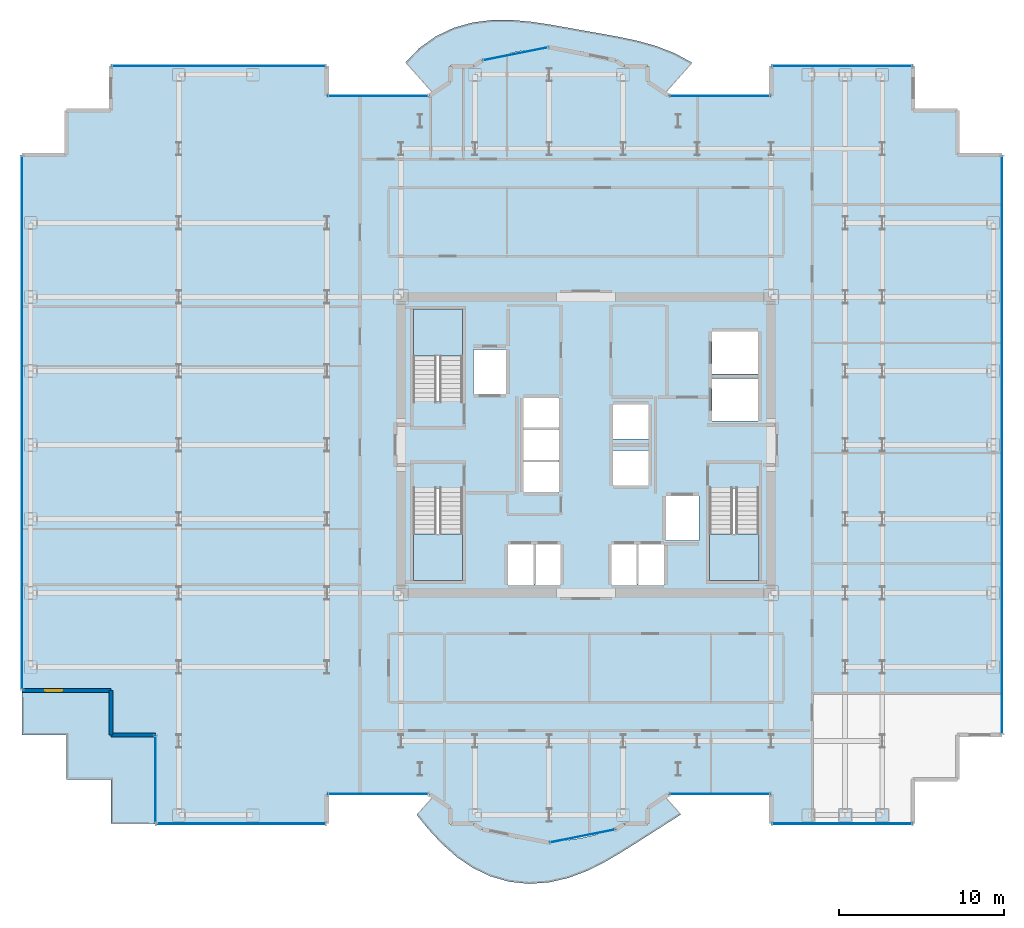
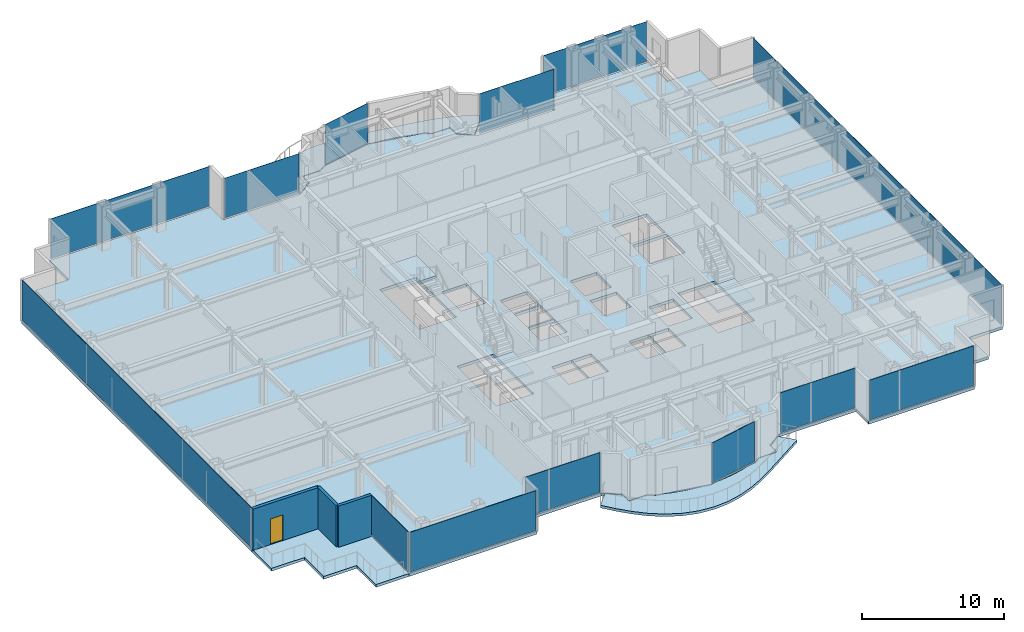
# One storey, part 14 of 23: 13 plates, 7 slabs, 3 walls, 1 door, 1 opening, 16 elements without a shape of their own.
"""IFC4 building model written with IfcOpenShell, lengths in metres."""

from ifc_helpers import new_model, si_unit, direction, frame, frame_2d, origin, origin_2d, place, context, subcontext, project, spatial, polyline, rectangle, outline, extrude, source, transform, mapped, material, layer, layer_set, type_object, element, fill, aggregate, save


model = new_model("IFC4")

# Units and contexts
model_context = context("Model", 3, precision=1e-05, world=origin(), true_north=direction((0.0, 1.0)))
body_context = subcontext(model_context, "Body", "Model", "MODEL_VIEW")
ifc_project = project(units=[si_unit("LENGTHUNIT", "METRE"), si_unit("AREAUNIT", "SQUARE_METRE"), si_unit("VOLUMEUNIT", "CUBIC_METRE"), si_unit("PLANEANGLEUNIT", "RADIAN"), si_unit("MASSUNIT", "GRAM", prefix="KILO")], contexts=[model_context])

# Site, building, storey
site_placement = place(None, origin())
site = spatial("IfcSite", under=ifc_project, at=site_placement, CompositionType="ELEMENT")
building_placement = place(site_placement, origin())
building = spatial("IfcBuilding", under=site, at=building_placement, Name="Nefas-Gora Pilgrimage Tower", CompositionType="ELEMENT")
storey_placement = place(building_placement, frame((0.0, 0.0, 164.0)))
storey = spatial("IfcBuildingStorey", under=building, at=storey_placement, Name="L40", CompositionType="ELEMENT", Elevation=164.0)

# Slabs
ifc_material_1 = material(Name="Concrete C40/50", Category="concrete")
ifc_layer_1 = layer(ifc_material_1, 0.219970703125)
ifc_layer_set_1 = layer_set([ifc_layer_1], Name="Concrete C40/50")
slab_type_1 = type_object("IfcSlabType", Name="SLB-BAL-P3", PredefinedType="FLOOR", material=ifc_layer_set_1)
slab_1_placement = place(storey_placement, frame((0.0, 0.0, -0.219970703125)))
element("IfcSlab", 1, at=slab_1_placement, inside=storey, type_object=slab_type_1, Name="L40 Sinusoidal Lobe Balcony Slab N (Phase 3)", PredefinedType="FLOOR", context=body_context, shape_type="SweptSolid", body=[
    extrude(outline(polyline([(-9.28759765625, 21.385986328125), (-9.224609375, 21.427978515625), (-8.538330078125, 21.9912109375), (-8.260009765625, 22.179931640625), (-8.260009765625, 23.02001953125), (-8.260009765625, 23.02099609375), (-8.259765625, 23.02197265625), (-8.259521484375, 23.02294921875), (-8.25927734375, 23.023681640625), (-8.2587890625, 23.024658203125), (-8.25830078125, 23.025634765625), (-8.2578125, 23.0263671875), (-8.257080078125, 23.027099609375), (-8.25634765625, 23.027587890625), (-8.255615234375, 23.0283203125), (-8.254638671875, 23.02880859375), (-8.25390625, 23.029296875), (-8.2529296875, 23.029541015625), (-8.251953125, 23.02978515625), (-8.2509765625, 23.030029296875), (-8.25, 23.030029296875), (-6.8271484375, 23.030029296875), (-6.31298828125, 23.37353515625), (-6.31201171875, 23.3740234375), (-6.311279296875, 23.37451171875), (-6.310302734375, 23.375), (-6.309326171875, 23.375), (-5.63037109375, 23.51025390625), (-5.102783203125, 23.685302734375), (-4.165283203125, 23.904052734375), (-3.211669921875, 24.035888671875), (-2.919921875, 24.04931640625), (-2.251953125, 24.18212890625), (-2.2509765625, 24.182373046875), (-2.25, 24.182373046875), (-2.2490234375, 24.182373046875), (-2.248046875, 24.18212890625), (-1.580078125, 24.04931640625), (-1.288330078125, 24.035888671875), (-0.334716796875, 23.904052734375), (0.602783203125, 23.685302734375), (1.13037109375, 23.51025390625), (1.809326171875, 23.375), (1.810302734375, 23.375), (1.811279296875, 23.37451171875), (1.81201171875, 23.3740234375), (1.81298828125, 23.37353515625), (2.3271484375, 23.030029296875), (3.75, 23.030029296875), (3.7509765625, 23.030029296875), (3.751953125, 23.02978515625), (3.7529296875, 23.029541015625), (3.75390625, 23.029296875), (3.754638671875, 23.02880859375), (3.755615234375, 23.0283203125), (3.75634765625, 23.027587890625), (3.757080078125, 23.027099609375), (3.7578125, 23.0263671875), (3.75830078125, 23.025634765625), (3.7587890625, 23.024658203125), (3.75927734375, 23.023681640625), (3.759521484375, 23.02294921875), (3.759765625, 23.02197265625), (3.760009765625, 23.02099609375), (3.760009765625, 23.02001953125), (3.760009765625, 22.179931640625), (4.038330078125, 21.9912109375), (4.724609375, 21.427978515625), (4.78759765625, 21.385986328125), (6.4453125, 23.22705078125), (5.391357421875, 23.802978515625), (4.284912109375, 24.234130859375), (3.16455078125, 24.5498046875), (2.055908203125, 24.787353515625), (0.969482421875, 24.985107421875), (-0.099609375, 25.172607421875), (-1.166259765625, 25.3642578125), (-2.25, 25.554931640625), (-3.366455078125, 25.720947265625), (-4.521240234375, 25.824951171875), (-5.70556640625, 25.822509765625), (-6.8955078125, 25.672119140625), (-8.055908203125, 25.343505859375), (-9.14599609375, 24.8232421875), (-10.127197265625, 24.118896484375), (-10.9716796875, 23.25634765625), (-9.28759765625, 21.385986328125)])), origin(), (0.0, 0.0, 1.0), 0.219970703125),
])
ifc_layer_2 = layer(ifc_material_1, 0.22509765625)
ifc_layer_set_2 = layer_set([ifc_layer_2], Name="Concrete C40/50")
slab_type_2 = type_object("IfcSlabType", Name="SLB-BAL-P7", PredefinedType="FLOOR", material=ifc_layer_set_2)
slab_2_placement = place(storey_placement, frame((0.0, 0.0, -0.22509765625)))
element("IfcSlab", 2, at=slab_2_placement, inside=storey, type_object=slab_type_2, Name="L40 Sinusoidal Lobe Balcony Slab S (Phase 7)", PredefinedType="FLOOR", context=body_context, shape_type="SweptSolid", body=[
    extrude(outline(polyline([(4.78759765625, -21.385986328125), (4.724609375, -21.427978515625), (4.038330078125, -21.9912109375), (3.760009765625, -22.179931640625), (3.760009765625, -23.02001953125), (3.760009765625, -23.02099609375), (3.759765625, -23.02197265625), (3.759521484375, -23.02294921875), (3.75927734375, -23.023681640625), (3.7587890625, -23.024658203125), (3.75830078125, -23.025634765625), (3.7578125, -23.0263671875), (3.757080078125, -23.027099609375), (3.75634765625, -23.027587890625), (3.755615234375, -23.0283203125), (3.754638671875, -23.02880859375), (3.75390625, -23.029296875), (3.7529296875, -23.029541015625), (3.751953125, -23.02978515625), (3.7509765625, -23.030029296875), (3.75, -23.030029296875), (2.3271484375, -23.030029296875), (1.81298828125, -23.37353515625), (1.81201171875, -23.3740234375), (1.811279296875, -23.37451171875), (1.810302734375, -23.375), (1.809326171875, -23.375), (1.13037109375, -23.51025390625), (0.602783203125, -23.685302734375), (-0.334716796875, -23.904052734375), (-1.288330078125, -24.035888671875), (-1.580078125, -24.04931640625), (-2.248046875, -24.18212890625), (-2.2490234375, -24.182373046875), (-2.25, -24.182373046875), (-2.2509765625, -24.182373046875), (-2.251953125, -24.18212890625), (-2.919921875, -24.04931640625), (-3.211669921875, -24.035888671875), (-4.165283203125, -23.904052734375), (-5.102783203125, -23.685302734375), (-5.63037109375, -23.51025390625), (-6.309326171875, -23.375), (-6.310302734375, -23.375), (-6.311279296875, -23.37451171875), (-6.31201171875, -23.3740234375), (-6.31298828125, -23.37353515625), (-6.8271484375, -23.030029296875), (-8.25, -23.030029296875), (-8.2509765625, -23.030029296875), (-8.251953125, -23.02978515625), (-8.2529296875, -23.029541015625), (-8.25390625, -23.029296875), (-8.254638671875, -23.02880859375), (-8.255615234375, -23.0283203125), (-8.25634765625, -23.027587890625), (-8.257080078125, -23.027099609375), (-8.2578125, -23.0263671875), (-8.25830078125, -23.025634765625), (-8.2587890625, -23.024658203125), (-8.25927734375, -23.023681640625), (-8.259521484375, -23.02294921875), (-8.259765625, -23.02197265625), (-8.260009765625, -23.02099609375), (-8.260009765625, -23.02001953125), (-8.260009765625, -22.179931640625), (-8.538330078125, -21.9912109375), (-9.224609375, -21.427978515625), (-9.28759765625, -21.385986328125), (-10.282958984375, -22.491455078125), (-9.56689453125, -23.368408203125), (-8.77734375, -24.2216796875), (-7.892578125, -25.01220703125), (-6.9033203125, -25.692138671875), (-5.816650390625, -26.21630859375), (-4.655517578125, -26.548583984375), (-3.453857421875, -26.6708984375), (-2.25, -26.585205078125), (-1.0791015625, -26.314208984375), (0.03466796875, -25.896484375), (1.080322265625, -25.37890625), (2.063720703125, -24.807373046875), (3.001220703125, -24.218505859375), (3.91650390625, -23.6328125), (4.830810546875, -23.052490234375), (5.756591796875, -22.462158203125), (4.78759765625, -21.385986328125)])), origin(), (0.0, 0.0, 1.0), 0.22509765625),
])
ifc_layer_3 = layer(ifc_material_1, 0.239990234375)
ifc_layer_set_3 = layer_set([ifc_layer_3], Name="Concrete C40/50")
slab_type_3 = type_object("IfcSlabType", Name="SLB-TER-SP-SW", PredefinedType="FLOOR", material=ifc_layer_set_3)
slab_3_placement = place(storey_placement, frame((0.0, 0.0, -0.239990234375)))
element("IfcSlab", 3, at=slab_3_placement, inside=storey, type_object=slab_type_3, Name="L40 Outdoor Sky Terrace Slab TER-SP-SW", PredefinedType="FLOOR", context=body_context, shape_type="SweptSolid", body=[
    extrude(outline(polyline([(-26.169921875, -23.02001953125), (-26.169921875, -17.6201171875), (-28.8701171875, -17.6201171875), (-28.8701171875, -14.919921875), (-34.27001953125, -14.919921875), (-34.27001953125, -17.6201171875), (-31.570068359375, -17.6201171875), (-31.570068359375, -20.320068359375), (-28.8701171875, -20.320068359375), (-28.8701171875, -23.02001953125), (-26.169921875, -23.02001953125)])), origin(), (0.0, 0.0, 1.0), 0.239990234375),
])
ifc_layer_4 = layer(ifc_material_1, 0.25)
ifc_layer_set_4 = layer_set([ifc_layer_4], Name="Concrete C40/50")
slab_type_4 = type_object("IfcSlabType", Name="SLB-TWR-250", PredefinedType="FLOOR", material=ifc_layer_set_4)
slab_4_placement = place(storey_placement, frame((0.0, 0.0, -0.25)))
element("IfcSlab", 4, at=slab_4_placement, inside=storey, type_object=slab_type_4, Name="L40 Structural Floor Slab", PredefinedType="FLOOR", context=body_context, shape_type="SweptSolid", body=[
    extrude(outline(polyline([(5.01806640625, -21.219970703125), (11.25, -21.219970703125), (11.25, -23.02001953125), (19.8701171875, -23.02001953125), (19.8701171875, -20.320068359375), (22.570068359375, -20.320068359375), (22.570068359375, -17.6201171875), (25.27001953125, -17.6201171875), (25.27001953125, 17.6201171875), (22.570068359375, 17.6201171875), (22.570068359375, 20.320068359375), (19.8701171875, 20.320068359375), (19.8701171875, 23.02001953125), (11.25, 23.02001953125), (11.25, 21.219970703125), (5.01806640625, 21.219970703125), (3.75, 22.0673828125), (3.75, 23.02001953125), (2.32421875, 23.02001953125), (1.807373046875, 23.365234375), (-2.25, 24.17236328125), (-6.307373046875, 23.365234375), (-6.82421875, 23.02001953125), (-8.25, 23.02001953125), (-8.25, 22.0673828125), (-9.51806640625, 21.219970703125), (-15.75, 21.219970703125), (-15.75, 23.02001953125), (-28.8701171875, 23.02001953125), (-28.8701171875, 20.320068359375), (-31.570068359375, 20.320068359375), (-31.570068359375, 17.6201171875), (-34.27001953125, 17.6201171875), (-34.27001953125, -14.919921875), (-28.8701171875, -14.919921875), (-28.8701171875, -17.6201171875), (-26.169921875, -17.6201171875), (-26.169921875, -23.02001953125), (-15.75, -23.02001953125), (-15.75, -21.219970703125), (-9.51806640625, -21.219970703125), (-8.25, -22.0673828125), (-8.25, -23.02001953125), (-6.82421875, -23.02001953125), (-6.307373046875, -23.365234375), (-2.25, -24.17236328125), (1.807373046875, -23.365234375), (2.32421875, -23.02001953125), (3.75, -23.02001953125), (3.75, -22.0673828125), (5.01806640625, -21.219970703125)]), holes=[polyline([(-10.5, 2.639892578125), (-10.5, 8.25), (-7.5, 8.25), (-7.5, 2.639892578125), (-10.5, 2.639892578125)]), polyline([(10.5, -2.639892578125), (10.5, -8.25), (7.5, -8.25), (7.5, -2.639892578125), (10.5, -2.639892578125)]), polyline([(-7.5, -2.639892578125), (-7.5, -8.25), (-10.5, -8.25), (-10.5, -2.639892578125), (-7.5, -2.639892578125)]), polyline([(-6.85009765625, 5.800048828125), (-4.85009765625, 5.800048828125), (-4.85009765625, 3.10009765625), (-6.85009765625, 3.10009765625), (-6.85009765625, 5.800048828125)]), polyline([(4.85009765625, -3.10009765625), (6.85009765625, -3.10009765625), (6.85009765625, -5.800048828125), (4.85009765625, -5.800048828125), (4.85009765625, -3.10009765625)]), polyline([(7.64990234375, 4.050048828125), (10.449951171875, 4.050048828125), (10.449951171875, 1.449951171875), (7.64990234375, 1.449951171875), (7.64990234375, 4.050048828125)]), polyline([(7.64990234375, 6.89990234375), (10.449951171875, 6.89990234375), (10.449951171875, 4.300048828125), (7.64990234375, 4.300048828125), (7.64990234375, 6.89990234375)]), polyline([(-4.75, -6.050048828125), (-3.14990234375, -6.050048828125), (-3.14990234375, -8.5), (-4.75, -8.5), (-4.75, -6.050048828125)]), polyline([(-3.10009765625, -6.050048828125), (-1.550048828125, -6.050048828125), (-1.550048828125, -8.5), (-3.10009765625, -8.5), (-3.10009765625, -6.050048828125)]), polyline([(1.550048828125, -6.050048828125), (3.10009765625, -6.050048828125), (3.10009765625, -8.5), (1.550048828125, -8.5), (1.550048828125, -6.050048828125)]), polyline([(3.14990234375, -6.050048828125), (4.75, -6.050048828125), (4.75, -8.5), (3.14990234375, -8.5), (3.14990234375, -6.050048828125)]), polyline([(-3.800048828125, -1.050048828125), (-1.64990234375, -1.050048828125), (-1.64990234375, -2.85009765625), (-3.800048828125, -2.85009765625), (-3.800048828125, -1.050048828125)]), polyline([(-3.800048828125, 0.89990234375), (-1.64990234375, 0.89990234375), (-1.64990234375, -0.89990234375), (-3.800048828125, -0.89990234375), (-3.800048828125, 0.89990234375)]), polyline([(-3.800048828125, 2.85009765625), (-1.64990234375, 2.85009765625), (-1.64990234375, 1.050048828125), (-3.800048828125, 1.050048828125), (-3.800048828125, 2.85009765625)]), polyline([(1.64990234375, -0.35009765625), (3.800048828125, -0.35009765625), (3.800048828125, -2.449951171875), (1.64990234375, -2.449951171875), (1.64990234375, -0.35009765625)]), polyline([(1.64990234375, 2.449951171875), (3.800048828125, 2.449951171875), (3.800048828125, 0.35009765625), (1.64990234375, 0.35009765625), (1.64990234375, 2.449951171875)])]), origin(), (0.0, 0.0, 1.0), 0.25),
])

# Stair, slab
ifc_material_2 = material(Name="Concrete C45/55", Category="concrete")
stair_type = type_object("IfcStairType", Name="STR-1400-R1727", PredefinedType="HALF_TURN_STAIR", material=ifc_material_2)
stair_1_placement = place(storey_placement, origin())
stair_1 = element("IfcStair", 5, at=stair_1_placement, inside=storey, type_object=stair_type, Name="L40 Pressurised Tower Exit Stair ST-01", PredefinedType="HALF_TURN_STAIR")
ifc_layer_5 = layer(ifc_material_1, 0.199951171875)
ifc_layer_set_5 = layer_set([ifc_layer_5], Name="Concrete C40/50")
slab_type_5 = type_object("IfcSlabType", Name="STR-LAND-200", PredefinedType="LANDING", material=ifc_layer_set_5)
slab_5_placement = place(storey_placement, frame((0.0, 0.0, 1.699951171875)))
slab_5 = element("IfcSlab", 6, at=slab_5_placement, type_object=slab_type_5, Name="ST-01 landing 1", PredefinedType="LANDING", context=body_context, shape_type="SweptSolid", body=[
    extrude(outline(polyline([(-7.5, 5.39990234375), (-7.5, 8.25), (-10.5, 8.25), (-10.5, 5.39990234375), (-7.5, 5.39990234375)])), origin(), (0.0, 0.0, 1.0), 0.199951171875),
])
aggregate(stair_1, [slab_5])

stair_2_placement = place(storey_placement, origin())
stair_2 = element("IfcStair", 7, at=stair_2_placement, inside=storey, type_object=stair_type, Name="L40 Pressurised Tower Exit Stair ST-02", PredefinedType="HALF_TURN_STAIR")
slab_6_placement = place(storey_placement, frame((0.0, 0.0, 1.699951171875)))
slab_6 = element("IfcSlab", 8, at=slab_6_placement, type_object=slab_type_5, Name="ST-02 landing 1", PredefinedType="LANDING", context=body_context, shape_type="SweptSolid", body=[
    extrude(outline(polyline([(7.5, -5.39990234375), (7.5, -8.25), (10.5, -8.25), (10.5, -5.39990234375), (7.5, -5.39990234375)])), origin(), (0.0, 0.0, 1.0), 0.199951171875),
])
aggregate(stair_2, [slab_6])

stair_3_placement = place(storey_placement, origin())
stair_3 = element("IfcStair", 9, at=stair_3_placement, inside=storey, type_object=stair_type, Name="L40 Pressurised Tower Exit Stair ST-03", PredefinedType="HALF_TURN_STAIR")
slab_7_placement = place(storey_placement, frame((0.0, 0.0, 1.699951171875)))
slab_7 = element("IfcSlab", 10, at=slab_7_placement, type_object=slab_type_5, Name="ST-03 landing 1", PredefinedType="LANDING", context=body_context, shape_type="SweptSolid", body=[
    extrude(outline(polyline([(-10.5, -5.39990234375), (-10.5, -8.25), (-7.5, -8.25), (-7.5, -5.39990234375), (-10.5, -5.39990234375)])), origin(), (0.0, 0.0, 1.0), 0.199951171875),
])
aggregate(stair_3, [slab_7])

# Curtain wall, plate
ifc_material_3 = material(Name="Dark ceramic-fritted solar-control aluminium-glass curtain wall", Category="aluminium")
ifc_layer_6 = layer(ifc_material_3, 0.219970703125)
ifc_layer_set_6 = layer_set([ifc_layer_6], Name="Dark ceramic-fritted solar-control aluminium-glass curtain wall")
curtain_wall_type_1 = type_object("IfcCurtainWallType", Name="CW-SYS-5", PredefinedType="NOTDEFINED", material=ifc_layer_set_6)
curtain_wall_1_placement = place(storey_placement, origin())
curtain_wall_1 = element("IfcCurtainWall", 11, at=curtain_wall_1_placement, inside=storey, type_object=curtain_wall_type_1, Name="L40 Unitised Curtain Wall CW5", PredefinedType="NOTDEFINED")
ifc_material_4 = material(Name="Dark ceramic-printed low-e insulated glass", Category="glass")
ifc_layer_7 = layer(ifc_material_4, 0.028076171875)
ifc_layer_set_7 = layer_set([ifc_layer_7], Name="Dark ceramic-printed low-e insulated glass")
plate_type_1 = type_object("IfcPlateType", Name="CWP-PNL-5", PredefinedType="CURTAIN_PANEL", material=ifc_layer_set_7)
shared_shape_1 = source(origin(), body_context, "Body", "SweptSolid", [
    extrude(rectangle(XDim=6.052001953125, YDim=0.028076171875, at=origin_2d()), origin(), (0.0, 0.0, 1.0), 3.43994140625),
])
plate_1_placement = place(storey_placement, frame((8.134033203125, -21.219970703125, 0.10009765625), z_axis=(0.0, 0.0, 1.0), x_axis=(1.0, 0.0, 0.0)))
plate_1 = element("IfcPlate", 12, at=plate_1_placement, type_object=plate_type_1, Name="CW5 Ceramic-Fritted Glazing Panel 1", PredefinedType="CURTAIN_PANEL", context=body_context, shape_type="MappedRepresentation", body=[
    mapped(shared_shape_1, transform((0.0, 0.0, 0.0), x_axis=(1.0, 0.0, 0.0), y_axis=(0.0, 1.0, 0.0), z_axis=(0.0, 0.0, 1.0), scale=1.0)),
])
aggregate(curtain_wall_1, [plate_1])

curtain_wall_2_placement = place(storey_placement, origin())
curtain_wall_2 = element("IfcCurtainWall", 13, at=curtain_wall_2_placement, inside=storey, type_object=curtain_wall_type_1, Name="L40 Unitised Curtain Wall CW5", PredefinedType="NOTDEFINED")
plate_2_placement = place(storey_placement, frame((8.134033203125, 21.219970703125, 0.10009765625), z_axis=(0.0, 0.0, 1.0), x_axis=(-1.0, 0.0, 0.0)))
plate_2 = element("IfcPlate", 14, at=plate_2_placement, type_object=plate_type_1, Name="CW5 Ceramic-Fritted Glazing Panel 1", PredefinedType="CURTAIN_PANEL", context=body_context, shape_type="MappedRepresentation", body=[
    mapped(shared_shape_1, transform((0.0, 0.0, 0.0), x_axis=(1.0, 0.0, 0.0), y_axis=(0.0, 1.0, 0.0), z_axis=(0.0, 0.0, 1.0), scale=1.0)),
])
aggregate(curtain_wall_2, [plate_2])

curtain_wall_3_placement = place(storey_placement, origin())
curtain_wall_3 = element("IfcCurtainWall", 15, at=curtain_wall_3_placement, inside=storey, type_object=curtain_wall_type_1, Name="L40 Unitised Curtain Wall CW5", PredefinedType="NOTDEFINED")
plate_3_placement = place(storey_placement, frame((-12.634033203125, 21.219970703125, 0.10009765625), z_axis=(0.0, 0.0, 1.0), x_axis=(-1.0, 0.0, 0.0)))
plate_3 = element("IfcPlate", 16, at=plate_3_placement, type_object=plate_type_1, Name="CW5 Ceramic-Fritted Glazing Panel 1", PredefinedType="CURTAIN_PANEL", context=body_context, shape_type="MappedRepresentation", body=[
    mapped(shared_shape_1, transform((0.0, 0.0, 0.0), x_axis=(1.0, 0.0, 0.0), y_axis=(0.0, 1.0, 0.0), z_axis=(0.0, 0.0, 1.0), scale=1.0)),
])
aggregate(curtain_wall_3, [plate_3])

curtain_wall_4_placement = place(storey_placement, origin())
curtain_wall_4 = element("IfcCurtainWall", 17, at=curtain_wall_4_placement, inside=storey, type_object=curtain_wall_type_1, Name="L40 Unitised Curtain Wall CW5", PredefinedType="NOTDEFINED")
plate_4_placement = place(storey_placement, frame((-12.634033203125, -21.219970703125, 0.10009765625), z_axis=(0.0, 0.0, 1.0), x_axis=(1.0, 0.0, 0.0)))
plate_4 = element("IfcPlate", 18, at=plate_4_placement, type_object=plate_type_1, Name="CW5 Ceramic-Fritted Glazing Panel 1", PredefinedType="CURTAIN_PANEL", context=body_context, shape_type="MappedRepresentation", body=[
    mapped(shared_shape_1, transform((0.0, 0.0, 0.0), x_axis=(1.0, 0.0, 0.0), y_axis=(0.0, 1.0, 0.0), z_axis=(0.0, 0.0, 1.0), scale=1.0)),
])
aggregate(curtain_wall_4, [plate_4])

curtain_wall_5_placement = place(storey_placement, origin())
curtain_wall_5 = element("IfcCurtainWall", 19, at=curtain_wall_5_placement, inside=storey, type_object=curtain_wall_type_1, Name="L40 Unitised Curtain Wall CW5", PredefinedType="NOTDEFINED")
shared_shape_2 = source(origin(), body_context, "Body", "SweptSolid", [
    extrude(rectangle(XDim=3.956787109375, YDim=0.028076171875, at=origin_2d()), origin(), (0.0, 0.0, 1.0), 3.43994140625),
])
plate_5_placement = place(storey_placement, frame((-4.278564453125, 23.768798828125, 0.10009765625), z_axis=(0.0, 0.0, 1.0), x_axis=(-0.980782896852, -0.195102304554, 0.0)))
plate_5 = element("IfcPlate", 20, at=plate_5_placement, type_object=plate_type_1, Name="CW5 Ceramic-Fritted Glazing Panel 1", PredefinedType="CURTAIN_PANEL", context=body_context, shape_type="MappedRepresentation", body=[
    mapped(shared_shape_2, transform((0.0, 0.0, 0.0), x_axis=(1.0, 0.0, 0.0), y_axis=(0.0, 1.0, 0.0), z_axis=(0.0, 0.0, 1.0), scale=1.0)),
])
aggregate(curtain_wall_5, [plate_5])

curtain_wall_6_placement = place(storey_placement, origin())
curtain_wall_6 = element("IfcCurtainWall", 21, at=curtain_wall_6_placement, inside=storey, type_object=curtain_wall_type_1, Name="L40 Unitised Curtain Wall CW5", PredefinedType="NOTDEFINED")
plate_6_placement = place(storey_placement, frame((-0.221435546875, -23.768798828125, 0.10009765625), z_axis=(0.0, 0.0, 1.0), x_axis=(0.980782896852, 0.195102304554, 0.0)))
plate_6 = element("IfcPlate", 22, at=plate_6_placement, type_object=plate_type_1, Name="CW5 Ceramic-Fritted Glazing Panel 1", PredefinedType="CURTAIN_PANEL", context=body_context, shape_type="MappedRepresentation", body=[
    mapped(shared_shape_2, transform((0.0, 0.0, 0.0), x_axis=(1.0, 0.0, 0.0), y_axis=(0.0, 1.0, 0.0), z_axis=(0.0, 0.0, 1.0), scale=1.0)),
])
aggregate(curtain_wall_6, [plate_6])

ifc_layer_8 = layer(ifc_material_3, 0.219970703125)
ifc_layer_set_8 = layer_set([ifc_layer_8], Name="Dark ceramic-fritted solar-control aluminium-glass curtain wall")
curtain_wall_type_2 = type_object("IfcCurtainWallType", Name="CW-SYS-3", PredefinedType="NOTDEFINED", material=ifc_layer_set_8)
curtain_wall_7_placement = place(storey_placement, origin())
curtain_wall_7 = element("IfcCurtainWall", 23, at=curtain_wall_7_placement, inside=storey, type_object=curtain_wall_type_2, Name="L40 Unitised Curtain Wall CW3", PredefinedType="NOTDEFINED")
ifc_layer_9 = layer(ifc_material_4, 0.033935546875)
ifc_layer_set_9 = layer_set([ifc_layer_9], Name="Dark ceramic-printed low-e insulated glass")
plate_type_2 = type_object("IfcPlateType", Name="CWP-PNL-3", PredefinedType="CURTAIN_PANEL", material=ifc_layer_set_9)
shared_shape_3 = source(origin(), body_context, "Body", "SweptSolid", [
    extrude(rectangle(XDim=8.43994140625, YDim=0.033935546875, at=origin_2d()), origin(), (0.0, 0.0, 1.0), 3.43994140625),
])
plate_7_placement = place(storey_placement, frame((15.56005859375, -23.02001953125, 0.10009765625), z_axis=(0.0, 0.0, 1.0), x_axis=(1.0, 0.0, 0.0)))
plate_7 = element("IfcPlate", 24, at=plate_7_placement, type_object=plate_type_2, Name="CW3 Ceramic-Fritted Glazing Panel 1", PredefinedType="CURTAIN_PANEL", context=body_context, shape_type="MappedRepresentation", body=[
    mapped(shared_shape_3, transform((0.0, 0.0, 0.0), x_axis=(1.0, 0.0, 0.0), y_axis=(0.0, 1.0, 0.0), z_axis=(0.0, 0.0, 1.0), scale=1.0)),
])
aggregate(curtain_wall_7, [plate_7])

curtain_wall_8_placement = place(storey_placement, origin())
curtain_wall_8 = element("IfcCurtainWall", 25, at=curtain_wall_8_placement, inside=storey, type_object=curtain_wall_type_2, Name="L40 Unitised Curtain Wall CW3", PredefinedType="NOTDEFINED")
plate_8_placement = place(storey_placement, frame((15.56005859375, 23.02001953125, 0.10009765625), z_axis=(0.0, 0.0, 1.0), x_axis=(-1.0, 0.0, 0.0)))
plate_8 = element("IfcPlate", 26, at=plate_8_placement, type_object=plate_type_2, Name="CW3 Ceramic-Fritted Glazing Panel 1", PredefinedType="CURTAIN_PANEL", context=body_context, shape_type="MappedRepresentation", body=[
    mapped(shared_shape_3, transform((0.0, 0.0, 0.0), x_axis=(1.0, 0.0, 0.0), y_axis=(0.0, 1.0, 0.0), z_axis=(0.0, 0.0, 1.0), scale=1.0)),
])
aggregate(curtain_wall_8, [plate_8])

curtain_wall_9_placement = place(storey_placement, origin())
curtain_wall_9 = element("IfcCurtainWall", 27, at=curtain_wall_9_placement, inside=storey, type_object=curtain_wall_type_2, Name="L40 Unitised Curtain Wall CW3", PredefinedType="NOTDEFINED")
shared_shape_4 = source(origin(), body_context, "Body", "SweptSolid", [
    extrude(rectangle(XDim=12.93994140625, YDim=0.033935546875, at=origin_2d()), origin(), (0.0, 0.0, 1.0), 3.43994140625),
])
plate_9_placement = place(storey_placement, frame((-22.31005859375, 23.02001953125, 0.10009765625), z_axis=(0.0, 0.0, 1.0), x_axis=(-1.0, 0.0, 0.0)))
plate_9 = element("IfcPlate", 28, at=plate_9_placement, type_object=plate_type_2, Name="CW3 Ceramic-Fritted Glazing Panel 1", PredefinedType="CURTAIN_PANEL", context=body_context, shape_type="MappedRepresentation", body=[
    mapped(shared_shape_4, transform((0.0, 0.0, 0.0), x_axis=(1.0, 0.0, 0.0), y_axis=(0.0, 1.0, 0.0), z_axis=(0.0, 0.0, 1.0), scale=1.0)),
])
aggregate(curtain_wall_9, [plate_9])

curtain_wall_10_placement = place(storey_placement, origin())
curtain_wall_10 = element("IfcCurtainWall", 29, at=curtain_wall_10_placement, inside=storey, type_object=curtain_wall_type_2, Name="L40 Unitised Curtain Wall CW3", PredefinedType="NOTDEFINED")
shared_shape_5 = source(origin(), body_context, "Body", "SweptSolid", [
    extrude(rectangle(XDim=35.06005859375, YDim=0.033935546875, at=origin_2d()), origin(), (0.0, 0.0, 1.0), 3.43994140625),
])
plate_10_placement = place(storey_placement, frame((25.27001953125, 0.0, 0.10009765625), z_axis=(0.0, 0.0, 1.0), x_axis=(0.0, 1.0, 0.0)))
plate_10 = element("IfcPlate", 30, at=plate_10_placement, type_object=plate_type_2, Name="CW3 Ceramic-Fritted Glazing Panel 1", PredefinedType="CURTAIN_PANEL", context=body_context, shape_type="MappedRepresentation", body=[
    mapped(shared_shape_5, transform((0.0, 0.0, 0.0), x_axis=(1.0, 0.0, 0.0), y_axis=(0.0, 1.0, 0.0), z_axis=(0.0, 0.0, 1.0), scale=1.0)),
])
aggregate(curtain_wall_10, [plate_10])

curtain_wall_11_placement = place(storey_placement, origin())
curtain_wall_11 = element("IfcCurtainWall", 31, at=curtain_wall_11_placement, inside=storey, type_object=curtain_wall_type_2, Name="L40 Unitised Curtain Wall CW3", PredefinedType="NOTDEFINED")
shared_shape_6 = source(origin(), body_context, "Body", "SweptSolid", [
    extrude(rectangle(XDim=32.360107421875, YDim=0.033935546875, at=origin_2d()), origin(), (0.0, 0.0, 1.0), 3.43994140625),
])
plate_11_placement = place(storey_placement, frame((-34.27001953125, 1.35009765625, 0.10009765625), z_axis=(0.0, 0.0, 1.0), x_axis=(0.0, -1.0, 0.0)))
plate_11 = element("IfcPlate", 32, at=plate_11_placement, type_object=plate_type_2, Name="CW3 Ceramic-Fritted Glazing Panel 1", PredefinedType="CURTAIN_PANEL", context=body_context, shape_type="MappedRepresentation", body=[
    mapped(shared_shape_6, transform((0.0, 0.0, 0.0), x_axis=(1.0, 0.0, 0.0), y_axis=(0.0, 1.0, 0.0), z_axis=(0.0, 0.0, 1.0), scale=1.0)),
])
aggregate(curtain_wall_11, [plate_11])

curtain_wall_12_placement = place(storey_placement, origin())
curtain_wall_12 = element("IfcCurtainWall", 33, at=curtain_wall_12_placement, inside=storey, type_object=curtain_wall_type_2, Name="L40 Unitised Curtain Wall CW3", PredefinedType="NOTDEFINED")
shared_shape_7 = source(origin(), body_context, "Body", "SweptSolid", [
    extrude(rectangle(XDim=5.219970703125, YDim=0.033935546875, at=origin_2d()), origin(), (0.0, 0.0, 1.0), 3.43994140625),
])
plate_12_placement = place(storey_placement, frame((-26.169921875, -20.320068359375, 0.10009765625), z_axis=(0.0, 0.0, 1.0), x_axis=(0.0, -1.0, 0.0)))
plate_12 = element("IfcPlate", 34, at=plate_12_placement, type_object=plate_type_2, Name="CW3 Ceramic-Fritted Glazing Panel 1", PredefinedType="CURTAIN_PANEL", context=body_context, shape_type="MappedRepresentation", body=[
    mapped(shared_shape_7, transform((0.0, 0.0, 0.0), x_axis=(1.0, 0.0, 0.0), y_axis=(0.0, 1.0, 0.0), z_axis=(0.0, 0.0, 1.0), scale=1.0)),
])
aggregate(curtain_wall_12, [plate_12])

curtain_wall_13_placement = place(storey_placement, origin())
curtain_wall_13 = element("IfcCurtainWall", 35, at=curtain_wall_13_placement, inside=storey, type_object=curtain_wall_type_2, Name="L40 Unitised Curtain Wall CW3", PredefinedType="NOTDEFINED")
shared_shape_8 = source(origin(), body_context, "Body", "SweptSolid", [
    extrude(rectangle(XDim=10.239990234375, YDim=0.033935546875, at=origin_2d()), origin(), (0.0, 0.0, 1.0), 3.43994140625),
])
plate_13_placement = place(storey_placement, frame((-20.9599609375, -23.02001953125, 0.10009765625), z_axis=(0.0, 0.0, 1.0), x_axis=(1.0, 0.0, 0.0)))
plate_13 = element("IfcPlate", 36, at=plate_13_placement, type_object=plate_type_2, Name="CW3 Ceramic-Fritted Glazing Panel 1", PredefinedType="CURTAIN_PANEL", context=body_context, shape_type="MappedRepresentation", body=[
    mapped(shared_shape_8, transform((0.0, 0.0, 0.0), x_axis=(1.0, 0.0, 0.0), y_axis=(0.0, 1.0, 0.0), z_axis=(0.0, 0.0, 1.0), scale=1.0)),
])
aggregate(curtain_wall_13, [plate_13])

# Wall, opening, door
ifc_material_5 = material(Name="Precast concrete C40/50", Category="concrete")
ifc_layer_10 = layer(ifc_material_5, 0.260009765625)
ifc_layer_set_10 = layer_set([ifc_layer_10], Name="Precast concrete C40/50")
wall_type_1 = type_object("IfcWallType", Name="EW-PORTAL-260", PredefinedType="SOLIDWALL", material=ifc_layer_set_10)
shared_shape_9 = source(origin(), body_context, "Body", "SweptSolid", [
    extrude(rectangle(XDim=5.39990234375, YDim=0.260009765625, at=frame_2d((2.699951171875, 0.0))), origin(), (0.0, 0.0, 1.0), 3.550048828125),
])
wall_placement = place(storey_placement, frame((-34.27001953125, -14.919921875, 0.0), z_axis=(0.0, 0.0, 1.0), x_axis=(1.0, 0.0, 0.0)))
wall = element("IfcWall", 37, at=wall_placement, inside=storey, type_object=wall_type_1, Name="L40 Insulated Terrace Portal Wall 25", PredefinedType="SOLIDWALL", context=body_context, shape_type="MappedRepresentation", body=[
    mapped(shared_shape_9, transform((0.0, 0.0, 0.0), x_axis=(1.0, 0.0, 0.0), y_axis=(0.0, 1.0, 0.0), z_axis=(0.0, 0.0, 1.0), scale=1.0)),
])
opening_placement = place(wall_placement, frame((1.39697265625, 0.0, 0.0)))
opening = element("IfcOpeningElement", 38, at=opening_placement, cuts=wall, Name="Opening ED-T1", PredefinedType="OPENING", context=body_context, shape_type="SweptSolid", body=[
    extrude(rectangle(XDim=1.050048828125, YDim=2.199951171875, at=frame_2d((0.52490234375, 1.10009765625))), frame((0.0, 0.139892578125, 0.0), z_axis=(0.0, -1.0, 0.0), x_axis=(1.0, 0.0, 0.0)), (0.0, 0.0, 1.0), 0.280029296875),
])
ifc_material_6 = material(Name="Thermally broken glazed aluminium terrace door", Category="aluminium")
door_type = type_object("IfcDoorType", Name="DR-EXT-TER-1050", OperationType="NOTDEFINED", PredefinedType="DOOR", material=ifc_material_6)
shared_shape_10 = source(origin(), body_context, "Body", "SweptSolid", [
    extrude(rectangle(XDim=1.050048828125, YDim=2.199951171875, at=frame_2d((0.52490234375, 1.10009765625))), frame((0.0, 0.02490234375, 0.0), z_axis=(0.0, -1.0, 0.0), x_axis=(1.0, 0.0, 0.0)), (0.0, 0.0, 1.0), 0.050048828125),
])
door_placement = place(opening_placement, origin())
door = element("IfcDoor", 39, at=door_placement, inside=storey, type_object=door_type, Name="L40 Exterior Door (L40 Outdoor Terrace TER-SP-SW)", OperationType="SINGLE_SWING_LEFT", OverallHeight=2.199951171875, OverallWidth=1.050048828125, PredefinedType="DOOR", context=body_context, shape_type="MappedRepresentation", body=[
    mapped(shared_shape_10, transform((0.0, 0.0, 0.0), x_axis=(1.0, 0.0, 0.0), y_axis=(0.0, 1.0, 0.0), z_axis=(0.0, 0.0, 1.0), scale=1.0)),
])
fill(opening, door)

# Walls
ifc_material_7 = material(Name="Precast concrete C45/55", Category="concrete")
ifc_layer_11 = layer(ifc_material_7, 0.239990234375)
ifc_layer_set_11 = layer_set([ifc_layer_11], Name="Precast concrete C45/55")
wall_type_2 = type_object("IfcWallType", Name="EW-SERR-240", PredefinedType="SHEAR", material=ifc_layer_set_11)
shared_shape_11 = source(origin(), body_context, "Body", "SweptSolid", [
    extrude(rectangle(XDim=2.7001953125, YDim=0.239990234375, at=frame_2d((1.35009765625, 0.0))), origin(), (0.0, 0.0, 1.0), 3.550048828125),
])
for number, where, z_axis, x_axis, name in (
    (40, (-28.8701171875, -14.919921875, 0.0), (0.0, 0.0, 1.0), (0.0, -1.0, 0.0), "L40 Serrated Corner Shear Pier Wall 26"),
    (41, (-28.8701171875, -17.6201171875, 0.0), (0.0, 0.0, 1.0), (1.0, 0.0, 0.0), "L40 Serrated Corner Shear Pier Wall 27"),
):
    element("IfcWall", number, at=place(storey_placement, frame(where, z_axis=z_axis, x_axis=x_axis)), inside=storey, type_object=wall_type_2, Name=name, PredefinedType="SHEAR", context=body_context, shape_type="MappedRepresentation", body=[
        mapped(shared_shape_11, transform((0.0, 0.0, 0.0), x_axis=(1.0, 0.0, 0.0), y_axis=(0.0, 1.0, 0.0), z_axis=(0.0, 0.0, 1.0), scale=1.0)),
    ])

save(model, "model.ifc")
